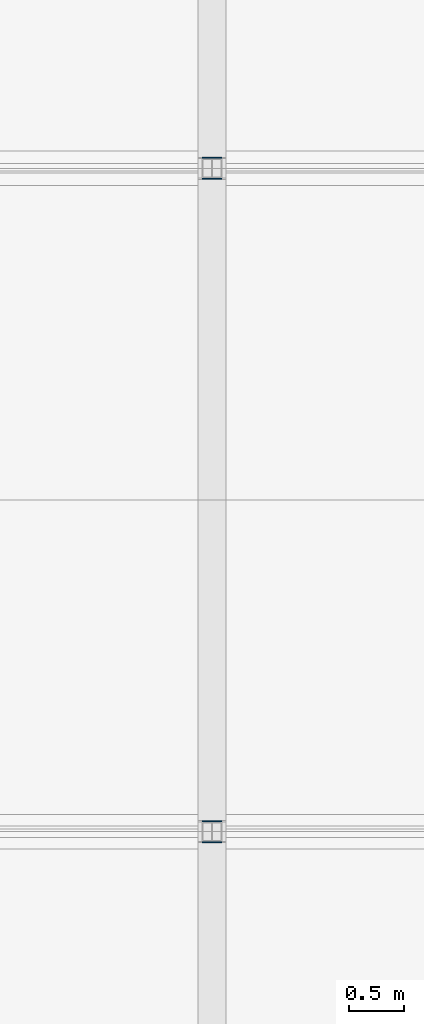
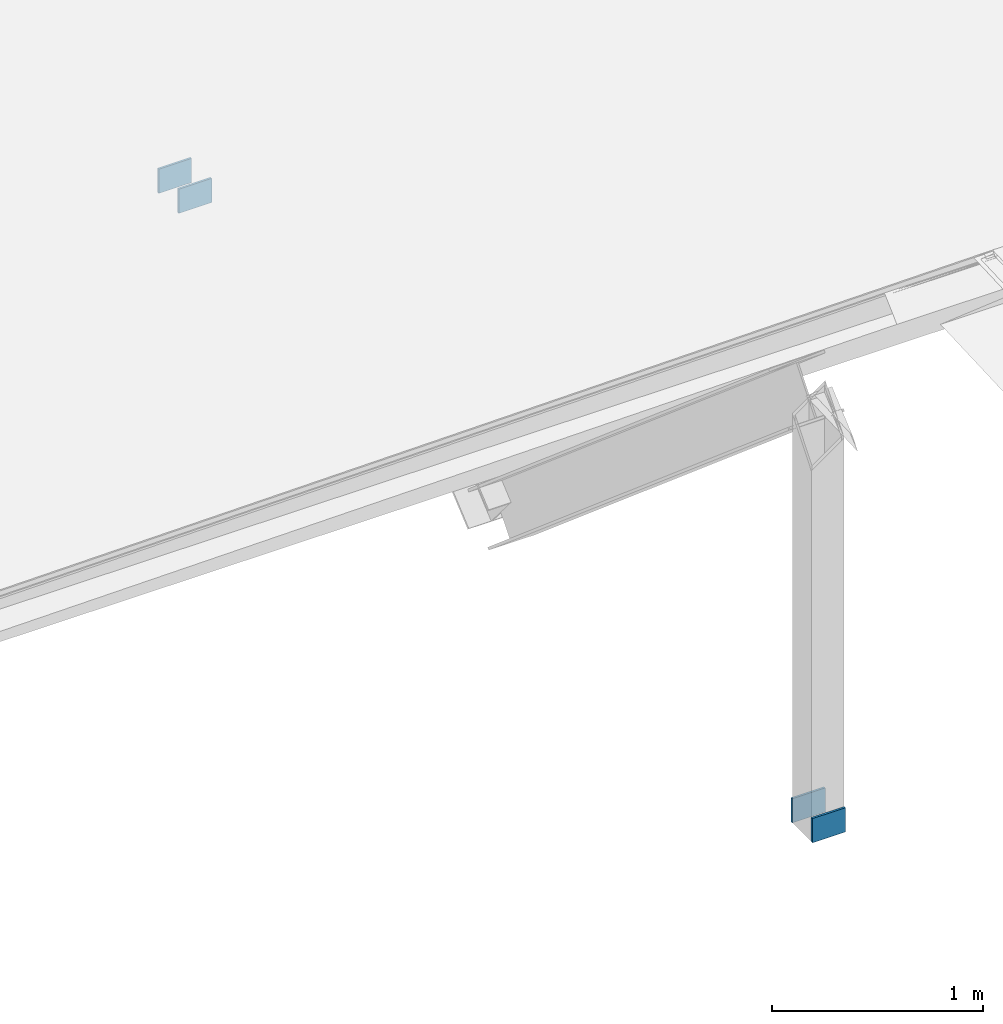
# One storey, part 45 of 59: 4 discrete accessories.
"""IFC4 building model written with IfcOpenShell, lengths in metres."""

from ifc_helpers import new_model, si_unit, direction, frame, origin, origin_2d, place, context, subcontext, project, spatial, rectangle, extrude, material, type_object, element, save


model = new_model("IFC4")

# Units and contexts
model_context = context("Model", 3, precision=1e-05, world=origin(), true_north=direction((0.0, 1.0)))
body_context = subcontext(model_context, "Body", "Model", "MODEL_VIEW")
ifc_project = project(units=[si_unit("LENGTHUNIT", "METRE"), si_unit("AREAUNIT", "SQUARE_METRE"), si_unit("VOLUMEUNIT", "CUBIC_METRE"), si_unit("PLANEANGLEUNIT", "RADIAN"), si_unit("MASSUNIT", "GRAM", prefix="KILO")], contexts=[model_context])

# Site, building, storey
site_placement = place(None, origin())
site = spatial("IfcSite", under=ifc_project, at=site_placement, CompositionType="ELEMENT")
building_placement = place(site_placement, origin())
building = spatial("IfcBuilding", under=site, at=building_placement, Name="Cumevento Cable Car Station", CompositionType="ELEMENT")
storey_placement = place(building_placement, frame((0.0, 0.0, 18.0)))
storey = spatial("IfcBuildingStorey", under=building, at=storey_placement, Name="L05", CompositionType="ELEMENT", Elevation=18.0)

# Discrete accessories
ifc_material = material(Name="Steel ASTM A572 Grade 50", Category="steel")
discrete_accessory_type = type_object("IfcDiscreteAccessoryType", Name="King Post Foot Cleat Plate KC-01", PredefinedType="BRACKET", material=ifc_material)
for number, where, z_axis, x_axis, name in (
    (1, (124.0, 23.905029296875, -0.0009765625), (0.0, 0.0, 1.0), (0.0, 1.0, 0.0), "King Post Foot Cleat Plate #23"),
    (2, (124.0, 24.094970703125, -0.0009765625), (0.0, 0.0, 1.0), (0.0, 1.0, 0.0), "King Post Foot Cleat Plate #24"),
    (3, (124.0, 29.905029296875, -0.0009765625), (0.0, 0.0, 1.0), (0.0, 1.0, 0.0), "King Post Foot Cleat Plate #25"),
    (4, (124.0, 30.094970703125, -0.0009765625), (0.0, 0.0, 1.0), (0.0, 1.0, 0.0), "King Post Foot Cleat Plate #26"),
):
    element("IfcDiscreteAccessory", number, at=place(storey_placement, frame(where, z_axis=z_axis, x_axis=x_axis)), inside=storey, type_object=discrete_accessory_type, Name=name, PredefinedType="BRACKET", context=body_context, shape_type="SweptSolid", body=[
        extrude(rectangle(XDim=0.011962890625, YDim=0.179931640625, at=origin_2d()), origin(), (0.0, 0.0, 1.0), 0.139892578125),
    ])

save(model, "model.ifc")
